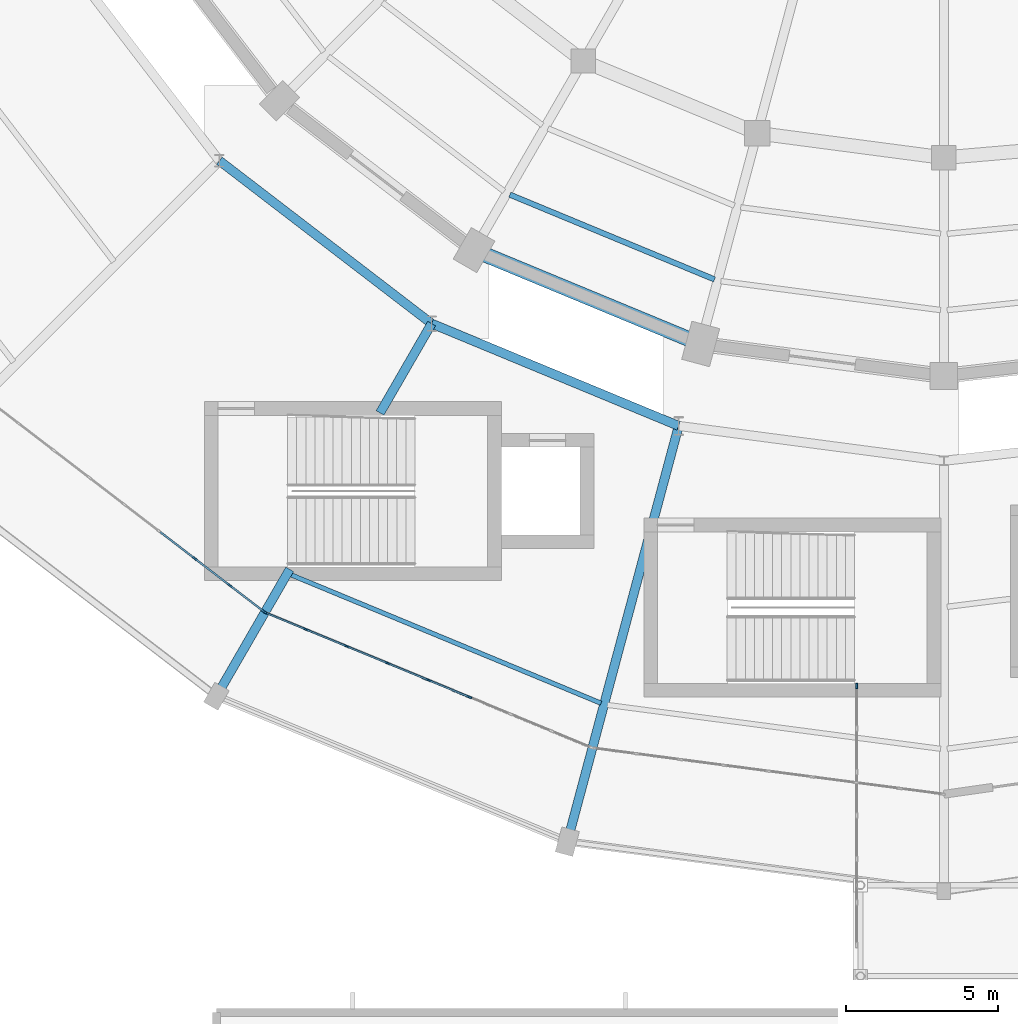
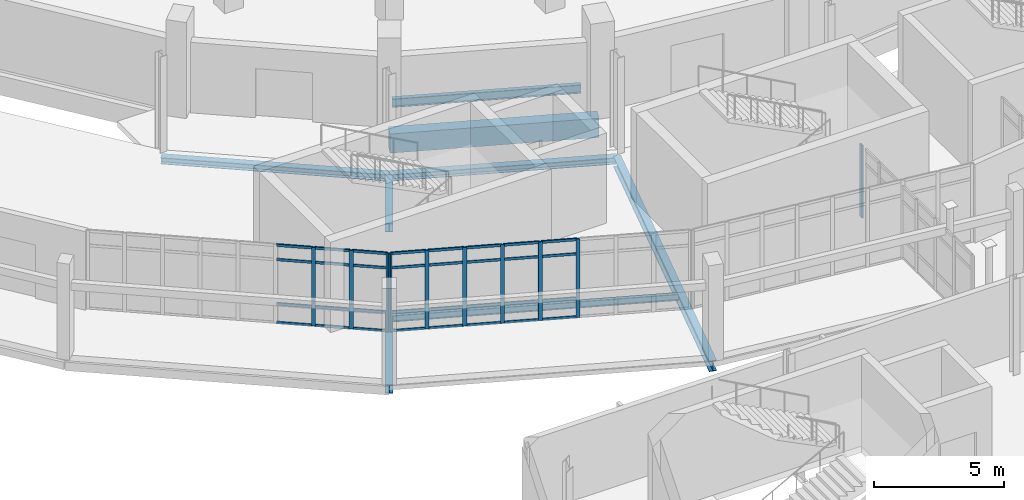
# One storey, part 41 of 122: 42 members, 8 beams, 3 elements without a shape of their own.
"""IFC4 building model written with IfcOpenShell, lengths in metres."""

from ifc_helpers import new_model, si_unit, direction, frame, origin, origin_2d, place, context, subcontext, project, spatial, rectangle, i_section, extrude, material, layer, layer_set, material_profile, profile_set, type_object, element, aggregate, save


model = new_model("IFC4")

# Units and contexts
model_context = context("Model", 3, precision=1e-05, world=origin(), true_north=direction((0.0, 1.0)))
body_context = subcontext(model_context, "Body", "Model", "MODEL_VIEW")
ifc_project = project(units=[si_unit("LENGTHUNIT", "METRE"), si_unit("AREAUNIT", "SQUARE_METRE"), si_unit("VOLUMEUNIT", "CUBIC_METRE"), si_unit("PLANEANGLEUNIT", "RADIAN"), si_unit("MASSUNIT", "GRAM", prefix="KILO")], contexts=[model_context])

# Site, building, storey
site_placement = place(None, origin())
site = spatial("IfcSite", under=ifc_project, at=site_placement, CompositionType="ELEMENT")
building_placement = place(site_placement, origin())
building = spatial("IfcBuilding", under=site, at=building_placement, Name="Sohan Crest Arena", CompositionType="ELEMENT")
storey_placement = place(building_placement, origin())
storey = spatial("IfcBuildingStorey", under=building, at=storey_placement, Name="L00", CompositionType="ELEMENT", Elevation=0.0)

# Curtain wall, members
ifc_material_1 = material(Name="Thermally broken anodised aluminium", Category="aluminium")
ifc_layer_1 = layer(ifc_material_1, 0.179931640625, Name="Thermally broken anodised aluminium")
ifc_layer_set_1 = layer_set([ifc_layer_1], Name="Thermally broken anodised aluminium")
curtain_wall_type_1 = type_object("IfcCurtainWallType", Name="ARC-CW01", PredefinedType="NOTDEFINED", material=ifc_layer_set_1)
curtain_wall_1_placement = place(storey_placement, origin())
curtain_wall_1 = element("IfcCurtainWall", 1, at=curtain_wall_1_placement, inside=storey, type_object=curtain_wall_type_1, Name="Unitised curtain wall CW-005", PredefinedType="NOTDEFINED")
ifc_material_profile_1 = material_profile(ifc_material_1, rectangle(XDim=0.06005859375, YDim=0.159912109375, at=origin_2d()), Name="ALU-MULL 60x160")
ifc_profile_set_1 = profile_set([ifc_material_profile_1], Name="Thermally broken anodised aluminium")
member_type_1 = type_object("IfcMemberType", Name="ARC-CW-ML01", PredefinedType="MULLION", material=ifc_profile_set_1)
member_1_placement = place(storey_placement, frame((73.280517578125, 40.98193359375, 0.0), z_axis=(0.0, 0.0, 1.0), x_axis=(0.608801264741, 0.79332277167, 0.0)))
member_1 = element("IfcMember", 2, at=member_1_placement, type_object=member_type_1, Name="CW-005 mullion 7", PredefinedType="MULLION", context=body_context, shape_type="SweptSolid", body=[
    extrude(rectangle(XDim=0.06005859375, YDim=0.159912109375, at=origin_2d()), origin(), (0.0, 0.0, 1.0), 3.679931640625),
])
member_2_placement = place(storey_placement, frame((74.440185546875, 40.092041015625, 0.0), z_axis=(0.0, 0.0, 1.0), x_axis=(0.608801264741, 0.79332277167, 0.0)))
member_2 = element("IfcMember", 3, at=member_2_placement, type_object=member_type_1, Name="CW-005 mullion 8", PredefinedType="MULLION", context=body_context, shape_type="SweptSolid", body=[
    extrude(rectangle(XDim=0.06005859375, YDim=0.159912109375, at=origin_2d()), origin(), (0.0, 0.0, 1.0), 3.679931640625),
])
member_3_placement = place(storey_placement, frame((75.576171875, 39.22021484375, 0.0), z_axis=(0.0, 0.0, 1.0), x_axis=(0.608801264741, 0.79332277167, 0.0)))
member_3 = element("IfcMember", 4, at=member_3_placement, type_object=member_type_1, Name="CW-005 mullion 9", PredefinedType="MULLION", context=body_context, shape_type="SweptSolid", body=[
    extrude(rectangle(XDim=0.06005859375, YDim=0.159912109375, at=origin_2d()), origin(), (0.0, 0.0, 1.0), 3.679931640625),
])

curtain_wall_2_placement = place(storey_placement, origin())
curtain_wall_2 = element("IfcCurtainWall", 5, at=curtain_wall_2_placement, inside=storey, type_object=curtain_wall_type_1, Name="Unitised curtain wall CW-006", PredefinedType="NOTDEFINED")
member_4_placement = place(storey_placement, frame((75.627685546875, 39.1904296875, 0.0), z_axis=(0.0, 0.0, 1.0), x_axis=(0.38264128051, 0.923896991255, 0.0)))
member_4 = element("IfcMember", 6, at=member_4_placement, type_object=member_type_1, Name="CW-006 mullion 1", PredefinedType="MULLION", context=body_context, shape_type="SweptSolid", body=[
    extrude(rectangle(XDim=0.06005859375, YDim=0.159912109375, at=origin_2d()), origin(), (0.0, 0.0, 1.0), 3.679931640625),
])
member_5_placement = place(storey_placement, frame((76.95068359375, 38.642578125, 0.0), z_axis=(0.0, 0.0, 1.0), x_axis=(0.38264128051, 0.923896991255, 0.0)))
member_5 = element("IfcMember", 7, at=member_5_placement, type_object=member_type_1, Name="CW-006 mullion 2", PredefinedType="MULLION", context=body_context, shape_type="SweptSolid", body=[
    extrude(rectangle(XDim=0.06005859375, YDim=0.159912109375, at=origin_2d()), origin(), (0.0, 0.0, 1.0), 3.679931640625),
])
member_6_placement = place(storey_placement, frame((78.30126953125, 38.083251953125, 0.0), z_axis=(0.0, 0.0, 1.0), x_axis=(0.38264128051, 0.923896991255, 0.0)))
member_6 = element("IfcMember", 8, at=member_6_placement, type_object=member_type_1, Name="CW-006 mullion 3", PredefinedType="MULLION", context=body_context, shape_type="SweptSolid", body=[
    extrude(rectangle(XDim=0.06005859375, YDim=0.159912109375, at=origin_2d()), origin(), (0.0, 0.0, 1.0), 3.679931640625),
])
member_7_placement = place(storey_placement, frame((79.65185546875, 37.52392578125, 0.0), z_axis=(0.0, 0.0, 1.0), x_axis=(0.38264128051, 0.923896991255, 0.0)))
member_7 = element("IfcMember", 9, at=member_7_placement, type_object=member_type_1, Name="CW-006 mullion 4", PredefinedType="MULLION", context=body_context, shape_type="SweptSolid", body=[
    extrude(rectangle(XDim=0.06005859375, YDim=0.159912109375, at=origin_2d()), origin(), (0.0, 0.0, 1.0), 3.679931640625),
])
member_8_placement = place(storey_placement, frame((81.00244140625, 36.964599609375, 0.0), z_axis=(0.0, 0.0, 1.0), x_axis=(0.38264128051, 0.923896991255, 0.0)))
member_8 = element("IfcMember", 10, at=member_8_placement, type_object=member_type_1, Name="CW-006 mullion 5", PredefinedType="MULLION", context=body_context, shape_type="SweptSolid", body=[
    extrude(rectangle(XDim=0.06005859375, YDim=0.159912109375, at=origin_2d()), origin(), (0.0, 0.0, 1.0), 3.679931640625),
])
member_9_placement = place(storey_placement, frame((82.35302734375, 36.405029296875, 0.0), z_axis=(0.0, 0.0, 1.0), x_axis=(0.38264128051, 0.923896991255, 0.0)))
member_9 = element("IfcMember", 11, at=member_9_placement, type_object=member_type_1, Name="CW-006 mullion 6", PredefinedType="MULLION", context=body_context, shape_type="SweptSolid", body=[
    extrude(rectangle(XDim=0.06005859375, YDim=0.159912109375, at=origin_2d()), origin(), (0.0, 0.0, 1.0), 3.679931640625),
])

# Curtain wall, member
ifc_layer_2 = layer(ifc_material_1, 0.18994140625, Name="Thermally broken anodised aluminium")
ifc_layer_set_2 = layer_set([ifc_layer_2], Name="Thermally broken anodised aluminium")
curtain_wall_type_2 = type_object("IfcCurtainWallType", Name="ARC-CW05", PredefinedType="NOTDEFINED", material=ifc_layer_set_2)
curtain_wall_3_placement = place(storey_placement, origin())
curtain_wall_3 = element("IfcCurtainWall", 12, at=curtain_wall_3_placement, inside=storey, type_object=curtain_wall_type_2, Name="Unitised curtain wall CW-247", PredefinedType="NOTDEFINED")
ifc_material_profile_2 = material_profile(ifc_material_1, rectangle(XDim=0.06494140625, YDim=0.179931640625, at=origin_2d()), Name="ALU-MULL 65x180")
ifc_profile_set_2 = profile_set([ifc_material_profile_2], Name="Thermally broken anodised aluminium")
member_type_2 = type_object("IfcMemberType", Name="ARC-CW-ML02", PredefinedType="MULLION", material=ifc_profile_set_2)
member_10_placement = place(storey_placement, frame((95.1201171875, 36.767578125, 0.0), z_axis=(0.0, 0.0, 1.0), x_axis=(-1.0, 0.0, 0.0)))
member_10 = element("IfcMember", 13, at=member_10_placement, type_object=member_type_2, Name="CW-247 mullion 7", PredefinedType="MULLION", context=body_context, shape_type="SweptSolid", body=[
    extrude(rectangle(XDim=0.06494140625, YDim=0.179931640625, at=origin_2d()), origin(), (0.0, 0.0, 1.0), 3.39990234375),
])
aggregate(curtain_wall_3, [member_10])

# Member
ifc_material_profile_3 = material_profile(ifc_material_1, rectangle(XDim=0.06005859375, YDim=0.1201171875, at=origin_2d()), Name="ALU-TRAN 60x120")
ifc_profile_set_3 = profile_set([ifc_material_profile_3], Name="Thermally broken anodised aluminium")
member_type_3 = type_object("IfcMemberType", Name="ARC-CW-TR01", PredefinedType="USERDEFINED", material=ifc_profile_set_3)
member_11_placement = place(storey_placement, frame((72.14453125, 41.853759765625, 0.030029296875), z_axis=(0.793283895434, -0.608851920623, 0.0), x_axis=(0.608851920623, 0.793283895434, 0.0)))
member_11 = element("IfcMember", 14, at=member_11_placement, type_object=member_type_3, Name="CW-005 transom 6.1", ObjectType="TRANSOM", PredefinedType="USERDEFINED", context=body_context, shape_type="SweptSolid", body=[
    extrude(rectangle(XDim=0.06005859375, YDim=0.1201171875, at=origin_2d()), origin(), (0.0, 0.0, 1.0), 1.40185546875),
])

member_12_placement = place(storey_placement, frame((72.14453125, 41.853759765625, 0.89990234375), z_axis=(0.793283895434, -0.608851920623, 0.0), x_axis=(0.608851920623, 0.793283895434, 0.0)))
member_12 = element("IfcMember", 15, at=member_12_placement, type_object=member_type_3, Name="CW-005 transom 6.2", ObjectType="TRANSOM", PredefinedType="USERDEFINED", context=body_context, shape_type="SweptSolid", body=[
    extrude(rectangle(XDim=0.06005859375, YDim=0.1201171875, at=origin_2d()), origin(), (0.0, 0.0, 1.0), 1.40185546875),
])

member_13_placement = place(storey_placement, frame((72.14453125, 41.853759765625, 2.97998046875), z_axis=(0.793283895434, -0.608851920623, 0.0), x_axis=(0.608851920623, 0.793283895434, 0.0)))
member_13 = element("IfcMember", 16, at=member_13_placement, type_object=member_type_3, Name="CW-005 transom 6.3", ObjectType="TRANSOM", PredefinedType="USERDEFINED", context=body_context, shape_type="SweptSolid", body=[
    extrude(rectangle(XDim=0.06005859375, YDim=0.1201171875, at=origin_2d()), origin(), (0.0, 0.0, 1.0), 1.40185546875),
])

member_14_placement = place(storey_placement, frame((72.14453125, 41.853759765625, 3.64990234375), z_axis=(0.793283895434, -0.608851920623, 0.0), x_axis=(0.608851920623, 0.793283895434, 0.0)))
member_14 = element("IfcMember", 17, at=member_14_placement, type_object=member_type_3, Name="CW-005 transom 6.4", ObjectType="TRANSOM", PredefinedType="USERDEFINED", context=body_context, shape_type="SweptSolid", body=[
    extrude(rectangle(XDim=0.06005859375, YDim=0.1201171875, at=origin_2d()), origin(), (0.0, 0.0, 1.0), 1.40185546875),
])

member_15_placement = place(storey_placement, frame((73.30419921875, 40.963623046875, 0.030029296875), z_axis=(0.793432543398, -0.608658195605, 0.0), x_axis=(0.608658195605, 0.793432543398, 0.0)))
member_15 = element("IfcMember", 18, at=member_15_placement, type_object=member_type_3, Name="CW-005 transom 7.1", ObjectType="TRANSOM", PredefinedType="USERDEFINED", context=body_context, shape_type="SweptSolid", body=[
    extrude(rectangle(XDim=0.06005859375, YDim=0.1201171875, at=origin_2d()), origin(), (0.0, 0.0, 1.0), 1.40185546875),
])

member_16_placement = place(storey_placement, frame((73.30419921875, 40.963623046875, 0.89990234375), z_axis=(0.793432543398, -0.608658195605, 0.0), x_axis=(0.608658195605, 0.793432543398, 0.0)))
member_16 = element("IfcMember", 19, at=member_16_placement, type_object=member_type_3, Name="CW-005 transom 7.2", ObjectType="TRANSOM", PredefinedType="USERDEFINED", context=body_context, shape_type="SweptSolid", body=[
    extrude(rectangle(XDim=0.06005859375, YDim=0.1201171875, at=origin_2d()), origin(), (0.0, 0.0, 1.0), 1.40185546875),
])

member_17_placement = place(storey_placement, frame((73.30419921875, 40.963623046875, 2.97998046875), z_axis=(0.793432543398, -0.608658195605, 0.0), x_axis=(0.608658195605, 0.793432543398, 0.0)))
member_17 = element("IfcMember", 20, at=member_17_placement, type_object=member_type_3, Name="CW-005 transom 7.3", ObjectType="TRANSOM", PredefinedType="USERDEFINED", context=body_context, shape_type="SweptSolid", body=[
    extrude(rectangle(XDim=0.06005859375, YDim=0.1201171875, at=origin_2d()), origin(), (0.0, 0.0, 1.0), 1.40185546875),
])

member_18_placement = place(storey_placement, frame((73.30419921875, 40.963623046875, 3.64990234375), z_axis=(0.793432543398, -0.608658195605, 0.0), x_axis=(0.608658195605, 0.793432543398, 0.0)))
member_18 = element("IfcMember", 21, at=member_18_placement, type_object=member_type_3, Name="CW-005 transom 7.4", ObjectType="TRANSOM", PredefinedType="USERDEFINED", context=body_context, shape_type="SweptSolid", body=[
    extrude(rectangle(XDim=0.06005859375, YDim=0.1201171875, at=origin_2d()), origin(), (0.0, 0.0, 1.0), 1.40185546875),
])

member_19_placement = place(storey_placement, frame((74.464111328125, 40.07373046875, 0.030029296875), z_axis=(0.793331312745, -0.608790134791, 0.0), x_axis=(0.608790134791, 0.793331312745, 0.0)))
member_19 = element("IfcMember", 22, at=member_19_placement, type_object=member_type_3, Name="CW-005 transom 8.1", ObjectType="TRANSOM", PredefinedType="USERDEFINED", context=body_context, shape_type="SweptSolid", body=[
    extrude(rectangle(XDim=0.06005859375, YDim=0.1201171875, at=origin_2d()), origin(), (0.0, 0.0, 1.0), 1.371826171875),
])

member_20_placement = place(storey_placement, frame((74.464111328125, 40.07373046875, 0.89990234375), z_axis=(0.793331312745, -0.608790134791, 0.0), x_axis=(0.608790134791, 0.793331312745, 0.0)))
member_20 = element("IfcMember", 23, at=member_20_placement, type_object=member_type_3, Name="CW-005 transom 8.2", ObjectType="TRANSOM", PredefinedType="USERDEFINED", context=body_context, shape_type="SweptSolid", body=[
    extrude(rectangle(XDim=0.06005859375, YDim=0.1201171875, at=origin_2d()), origin(), (0.0, 0.0, 1.0), 1.371826171875),
])

member_21_placement = place(storey_placement, frame((74.464111328125, 40.07373046875, 2.97998046875), z_axis=(0.793331312745, -0.608790134791, 0.0), x_axis=(0.608790134791, 0.793331312745, 0.0)))
member_21 = element("IfcMember", 24, at=member_21_placement, type_object=member_type_3, Name="CW-005 transom 8.3", ObjectType="TRANSOM", PredefinedType="USERDEFINED", context=body_context, shape_type="SweptSolid", body=[
    extrude(rectangle(XDim=0.06005859375, YDim=0.1201171875, at=origin_2d()), origin(), (0.0, 0.0, 1.0), 1.371826171875),
])

member_22_placement = place(storey_placement, frame((74.464111328125, 40.07373046875, 3.64990234375), z_axis=(0.793331312745, -0.608790134791, 0.0), x_axis=(0.608790134791, 0.793331312745, 0.0)))
member_22 = element("IfcMember", 25, at=member_22_placement, type_object=member_type_3, Name="CW-005 transom 8.4", ObjectType="TRANSOM", PredefinedType="USERDEFINED", context=body_context, shape_type="SweptSolid", body=[
    extrude(rectangle(XDim=0.06005859375, YDim=0.1201171875, at=origin_2d()), origin(), (0.0, 0.0, 1.0), 1.371826171875),
])

aggregate(curtain_wall_1, [member_1, member_2, member_3, member_11, member_12, member_13, member_14, member_15, member_16, member_17, member_18, member_19, member_20, member_21, member_22])

member_23_placement = place(storey_placement, frame((75.655517578125, 39.178955078125, 0.030029296875), z_axis=(0.923891022383, -0.382655692183, 0.0), x_axis=(0.382655692183, 0.923891022383, 0.0)))
member_23 = element("IfcMember", 26, at=member_23_placement, type_object=member_type_3, Name="CW-006 transom 1.1", ObjectType="TRANSOM", PredefinedType="USERDEFINED", context=body_context, shape_type="SweptSolid", body=[
    extrude(rectangle(XDim=0.06005859375, YDim=0.1201171875, at=origin_2d()), origin(), (0.0, 0.0, 1.0), 1.371826171875),
])

member_24_placement = place(storey_placement, frame((75.655517578125, 39.178955078125, 0.89990234375), z_axis=(0.923891022383, -0.382655692183, 0.0), x_axis=(0.382655692183, 0.923891022383, 0.0)))
member_24 = element("IfcMember", 27, at=member_24_placement, type_object=member_type_3, Name="CW-006 transom 1.2", ObjectType="TRANSOM", PredefinedType="USERDEFINED", context=body_context, shape_type="SweptSolid", body=[
    extrude(rectangle(XDim=0.06005859375, YDim=0.1201171875, at=origin_2d()), origin(), (0.0, 0.0, 1.0), 1.371826171875),
])

member_25_placement = place(storey_placement, frame((75.655517578125, 39.178955078125, 2.97998046875), z_axis=(0.923891022383, -0.382655692183, 0.0), x_axis=(0.382655692183, 0.923891022383, 0.0)))
member_25 = element("IfcMember", 28, at=member_25_placement, type_object=member_type_3, Name="CW-006 transom 1.3", ObjectType="TRANSOM", PredefinedType="USERDEFINED", context=body_context, shape_type="SweptSolid", body=[
    extrude(rectangle(XDim=0.06005859375, YDim=0.1201171875, at=origin_2d()), origin(), (0.0, 0.0, 1.0), 1.371826171875),
])

member_26_placement = place(storey_placement, frame((75.655517578125, 39.178955078125, 3.64990234375), z_axis=(0.923891022383, -0.382655692183, 0.0), x_axis=(0.382655692183, 0.923891022383, 0.0)))
member_26 = element("IfcMember", 29, at=member_26_placement, type_object=member_type_3, Name="CW-006 transom 1.4", ObjectType="TRANSOM", PredefinedType="USERDEFINED", context=body_context, shape_type="SweptSolid", body=[
    extrude(rectangle(XDim=0.06005859375, YDim=0.1201171875, at=origin_2d()), origin(), (0.0, 0.0, 1.0), 1.371826171875),
])

member_27_placement = place(storey_placement, frame((76.978271484375, 38.631103515625, 0.030029296875), z_axis=(0.923904341671, -0.382623532262, 0.0), x_axis=(0.382623532262, 0.923904341671, 0.0)))
member_27 = element("IfcMember", 30, at=member_27_placement, type_object=member_type_3, Name="CW-006 transom 2.1", ObjectType="TRANSOM", PredefinedType="USERDEFINED", context=body_context, shape_type="SweptSolid", body=[
    extrude(rectangle(XDim=0.06005859375, YDim=0.1201171875, at=origin_2d()), origin(), (0.0, 0.0, 1.0), 1.40185546875),
])

member_28_placement = place(storey_placement, frame((76.978271484375, 38.631103515625, 0.89990234375), z_axis=(0.923904341671, -0.382623532262, 0.0), x_axis=(0.382623532262, 0.923904341671, 0.0)))
member_28 = element("IfcMember", 31, at=member_28_placement, type_object=member_type_3, Name="CW-006 transom 2.2", ObjectType="TRANSOM", PredefinedType="USERDEFINED", context=body_context, shape_type="SweptSolid", body=[
    extrude(rectangle(XDim=0.06005859375, YDim=0.1201171875, at=origin_2d()), origin(), (0.0, 0.0, 1.0), 1.40185546875),
])

member_29_placement = place(storey_placement, frame((76.978271484375, 38.631103515625, 2.97998046875), z_axis=(0.923904341671, -0.382623532262, 0.0), x_axis=(0.382623532262, 0.923904341671, 0.0)))
member_29 = element("IfcMember", 32, at=member_29_placement, type_object=member_type_3, Name="CW-006 transom 2.3", ObjectType="TRANSOM", PredefinedType="USERDEFINED", context=body_context, shape_type="SweptSolid", body=[
    extrude(rectangle(XDim=0.06005859375, YDim=0.1201171875, at=origin_2d()), origin(), (0.0, 0.0, 1.0), 1.40185546875),
])

member_30_placement = place(storey_placement, frame((76.978271484375, 38.631103515625, 3.64990234375), z_axis=(0.923904341671, -0.382623532262, 0.0), x_axis=(0.382623532262, 0.923904341671, 0.0)))
member_30 = element("IfcMember", 33, at=member_30_placement, type_object=member_type_3, Name="CW-006 transom 2.4", ObjectType="TRANSOM", PredefinedType="USERDEFINED", context=body_context, shape_type="SweptSolid", body=[
    extrude(rectangle(XDim=0.06005859375, YDim=0.1201171875, at=origin_2d()), origin(), (0.0, 0.0, 1.0), 1.40185546875),
])

member_31_placement = place(storey_placement, frame((78.328857421875, 38.07177734375, 0.030029296875), z_axis=(0.923929832277, -0.382561975408, 0.0), x_axis=(0.382561975408, 0.923929832277, 0.0)))
member_31 = element("IfcMember", 34, at=member_31_placement, type_object=member_type_3, Name="CW-006 transom 3.1", ObjectType="TRANSOM", PredefinedType="USERDEFINED", context=body_context, shape_type="SweptSolid", body=[
    extrude(rectangle(XDim=0.06005859375, YDim=0.1201171875, at=origin_2d()), origin(), (0.0, 0.0, 1.0), 1.402099609375),
])

member_32_placement = place(storey_placement, frame((78.328857421875, 38.07177734375, 0.89990234375), z_axis=(0.923929832277, -0.382561975408, 0.0), x_axis=(0.382561975408, 0.923929832277, 0.0)))
member_32 = element("IfcMember", 35, at=member_32_placement, type_object=member_type_3, Name="CW-006 transom 3.2", ObjectType="TRANSOM", PredefinedType="USERDEFINED", context=body_context, shape_type="SweptSolid", body=[
    extrude(rectangle(XDim=0.06005859375, YDim=0.1201171875, at=origin_2d()), origin(), (0.0, 0.0, 1.0), 1.402099609375),
])

member_33_placement = place(storey_placement, frame((78.328857421875, 38.07177734375, 2.97998046875), z_axis=(0.923929832277, -0.382561975408, 0.0), x_axis=(0.382561975408, 0.923929832277, 0.0)))
member_33 = element("IfcMember", 36, at=member_33_placement, type_object=member_type_3, Name="CW-006 transom 3.3", ObjectType="TRANSOM", PredefinedType="USERDEFINED", context=body_context, shape_type="SweptSolid", body=[
    extrude(rectangle(XDim=0.06005859375, YDim=0.1201171875, at=origin_2d()), origin(), (0.0, 0.0, 1.0), 1.402099609375),
])

member_34_placement = place(storey_placement, frame((78.328857421875, 38.07177734375, 3.64990234375), z_axis=(0.923929832277, -0.382561975408, 0.0), x_axis=(0.382561975408, 0.923929832277, 0.0)))
member_34 = element("IfcMember", 37, at=member_34_placement, type_object=member_type_3, Name="CW-006 transom 3.4", ObjectType="TRANSOM", PredefinedType="USERDEFINED", context=body_context, shape_type="SweptSolid", body=[
    extrude(rectangle(XDim=0.06005859375, YDim=0.1201171875, at=origin_2d()), origin(), (0.0, 0.0, 1.0), 1.402099609375),
])

member_35_placement = place(storey_placement, frame((79.6796875, 37.512451171875, 0.030029296875), z_axis=(0.923904341671, -0.382623532262, 0.0), x_axis=(0.382623532262, 0.923904341671, 0.0)))
member_35 = element("IfcMember", 38, at=member_35_placement, type_object=member_type_3, Name="CW-006 transom 4.1", ObjectType="TRANSOM", PredefinedType="USERDEFINED", context=body_context, shape_type="SweptSolid", body=[
    extrude(rectangle(XDim=0.06005859375, YDim=0.1201171875, at=origin_2d()), origin(), (0.0, 0.0, 1.0), 1.40185546875),
])

member_36_placement = place(storey_placement, frame((79.6796875, 37.512451171875, 0.89990234375), z_axis=(0.923904341671, -0.382623532262, 0.0), x_axis=(0.382623532262, 0.923904341671, 0.0)))
member_36 = element("IfcMember", 39, at=member_36_placement, type_object=member_type_3, Name="CW-006 transom 4.2", ObjectType="TRANSOM", PredefinedType="USERDEFINED", context=body_context, shape_type="SweptSolid", body=[
    extrude(rectangle(XDim=0.06005859375, YDim=0.1201171875, at=origin_2d()), origin(), (0.0, 0.0, 1.0), 1.40185546875),
])

member_37_placement = place(storey_placement, frame((79.6796875, 37.512451171875, 2.97998046875), z_axis=(0.923904341671, -0.382623532262, 0.0), x_axis=(0.382623532262, 0.923904341671, 0.0)))
member_37 = element("IfcMember", 40, at=member_37_placement, type_object=member_type_3, Name="CW-006 transom 4.3", ObjectType="TRANSOM", PredefinedType="USERDEFINED", context=body_context, shape_type="SweptSolid", body=[
    extrude(rectangle(XDim=0.06005859375, YDim=0.1201171875, at=origin_2d()), origin(), (0.0, 0.0, 1.0), 1.40185546875),
])

member_38_placement = place(storey_placement, frame((79.6796875, 37.512451171875, 3.64990234375), z_axis=(0.923904341671, -0.382623532262, 0.0), x_axis=(0.382623532262, 0.923904341671, 0.0)))
member_38 = element("IfcMember", 41, at=member_38_placement, type_object=member_type_3, Name="CW-006 transom 4.4", ObjectType="TRANSOM", PredefinedType="USERDEFINED", context=body_context, shape_type="SweptSolid", body=[
    extrude(rectangle(XDim=0.06005859375, YDim=0.1201171875, at=origin_2d()), origin(), (0.0, 0.0, 1.0), 1.40185546875),
])

member_39_placement = place(storey_placement, frame((81.0302734375, 36.953125, 0.030029296875), z_axis=(0.923842767906, -0.382772177918, 0.0), x_axis=(0.382772177918, 0.923842767906, 0.0)))
member_39 = element("IfcMember", 42, at=member_39_placement, type_object=member_type_3, Name="CW-006 transom 5.1", ObjectType="TRANSOM", PredefinedType="USERDEFINED", context=body_context, shape_type="SweptSolid", body=[
    extrude(rectangle(XDim=0.06005859375, YDim=0.1201171875, at=origin_2d()), origin(), (0.0, 0.0, 1.0), 1.40185546875),
])

member_40_placement = place(storey_placement, frame((81.0302734375, 36.953125, 0.89990234375), z_axis=(0.923842767906, -0.382772177918, 0.0), x_axis=(0.382772177918, 0.923842767906, 0.0)))
member_40 = element("IfcMember", 43, at=member_40_placement, type_object=member_type_3, Name="CW-006 transom 5.2", ObjectType="TRANSOM", PredefinedType="USERDEFINED", context=body_context, shape_type="SweptSolid", body=[
    extrude(rectangle(XDim=0.06005859375, YDim=0.1201171875, at=origin_2d()), origin(), (0.0, 0.0, 1.0), 1.40185546875),
])

member_41_placement = place(storey_placement, frame((81.0302734375, 36.953125, 2.97998046875), z_axis=(0.923842767906, -0.382772177918, 0.0), x_axis=(0.382772177918, 0.923842767906, 0.0)))
member_41 = element("IfcMember", 44, at=member_41_placement, type_object=member_type_3, Name="CW-006 transom 5.3", ObjectType="TRANSOM", PredefinedType="USERDEFINED", context=body_context, shape_type="SweptSolid", body=[
    extrude(rectangle(XDim=0.06005859375, YDim=0.1201171875, at=origin_2d()), origin(), (0.0, 0.0, 1.0), 1.40185546875),
])

member_42_placement = place(storey_placement, frame((81.0302734375, 36.953125, 3.64990234375), z_axis=(0.923842767906, -0.382772177918, 0.0), x_axis=(0.382772177918, 0.923842767906, 0.0)))
member_42 = element("IfcMember", 45, at=member_42_placement, type_object=member_type_3, Name="CW-006 transom 5.4", ObjectType="TRANSOM", PredefinedType="USERDEFINED", context=body_context, shape_type="SweptSolid", body=[
    extrude(rectangle(XDim=0.06005859375, YDim=0.1201171875, at=origin_2d()), origin(), (0.0, 0.0, 1.0), 1.40185546875),
])

aggregate(curtain_wall_2, [member_4, member_5, member_6, member_7, member_8, member_9, member_23, member_24, member_25, member_26, member_27, member_28, member_29, member_30, member_31, member_32, member_33, member_34, member_35, member_36, member_37, member_38, member_39, member_40, member_41, member_42])

# Beams
ifc_material_2 = material(Name="Steel S355", Category="steel")
ifc_material_profile_4 = material_profile(ifc_material_2, i_section(OverallWidth=0.14990234375, OverallDepth=0.300048828125, WebThickness=0.007080078125, FlangeThickness=0.0107421875, at=origin_2d()), Name="IPE 300")
ifc_profile_set_4 = profile_set([ifc_material_profile_4], Name="Steel S355")
beam_type_1 = type_object("IfcBeamType", Name="STR-BM-B01", PredefinedType="JOIST", material=ifc_profile_set_4)
beam_1_placement = place(storey_placement, frame((76.445068359375, 40.447021484375, -0.425048828125), z_axis=(0.923874316241, -0.382696025312, 0.0), x_axis=(0.382696025312, 0.923874316241, 0.0)))
element("IfcBeam", 46, at=beam_1_placement, inside=storey, type_object=beam_type_1, Name="Structural beam J-L00-0955", PredefinedType="JOIST", context=body_context, shape_type="SweptSolid", body=[
    extrude(i_section(OverallWidth=0.14990234375, OverallDepth=0.300048828125, WebThickness=0.007080078125, FlangeThickness=0.0107421875, at=origin_2d()), origin(), (0.0, 0.0, 1.0), 11.0869140625),
])
ifc_material_profile_5 = material_profile(ifc_material_2, i_section(OverallWidth=0.179931640625, OverallDepth=0.39990234375, WebThickness=0.008544921875, FlangeThickness=0.013427734375, at=origin_2d()), Name="IPE 400")
ifc_profile_set_5 = profile_set([ifc_material_profile_5], Name="Steel S355")
beam_type_2 = type_object("IfcBeamType", Name="STR-BM-B03", PredefinedType="JOIST", material=ifc_profile_set_5)
beam_2_placement = place(storey_placement, frame((83.681884765625, 52.98193359375, -0.449951171875), z_axis=(0.923831158032, -0.382800197818, 0.0), x_axis=(0.382800197818, 0.923831158032, 0.0)))
element("IfcBeam", 47, at=beam_2_placement, inside=storey, type_object=beam_type_2, Name="Structural beam J-L00-0283", PredefinedType="JOIST", context=body_context, shape_type="SweptSolid", body=[
    extrude(i_section(OverallWidth=0.179931640625, OverallDepth=0.39990234375, WebThickness=0.008544921875, FlangeThickness=0.013427734375, at=origin_2d()), origin(), (0.0, 0.0, 1.0), 7.308837890625),
])
ifc_material_profile_6 = material_profile(ifc_material_2, i_section(OverallWidth=0.300048828125, OverallDepth=0.300048828125, WebThickness=0.010986328125, FlangeThickness=0.01904296875, at=origin_2d()), Name="HEB 300")
ifc_profile_set_6 = profile_set([ifc_material_profile_6], Name="Steel S355")
beam_type_3 = type_object("IfcBeamType", Name="STR-BM-B12", PredefinedType="BEAM", material=ifc_profile_set_6)
beam_3_placement = place(storey_placement, frame((74.10009765625, 54.10009765625, -0.425048828125), z_axis=(0.793310569192, -0.608817165336, 0.0), x_axis=(0.608817165336, 0.793310569192, 0.0)))
element("IfcBeam", 48, at=beam_3_placement, inside=storey, type_object=beam_type_3, Name="Structural beam G-L00-0947", PredefinedType="BEAM", context=body_context, shape_type="SweptSolid", body=[
    extrude(i_section(OverallWidth=0.300048828125, OverallDepth=0.300048828125, WebThickness=0.010986328125, FlangeThickness=0.01904296875, at=origin_2d()), origin(), (0.0, 0.0, 1.0), 8.82373046875),
])
beam_4_placement = place(storey_placement, frame((81.10009765625, 48.72802734375, -0.425048828125), z_axis=(0.923904876385, -0.38262224111, 0.0), x_axis=(0.38262224111, 0.923904876385, 0.0)))
element("IfcBeam", 49, at=beam_4_placement, inside=storey, type_object=beam_type_3, Name="Structural beam G-L00-0952", PredefinedType="BEAM", context=body_context, shape_type="SweptSolid", body=[
    extrude(i_section(OverallWidth=0.300048828125, OverallDepth=0.300048828125, WebThickness=0.010986328125, FlangeThickness=0.01904296875, at=origin_2d()), origin(), (0.0, 0.0, 1.0), 8.8232421875),
])
ifc_material_profile_7 = material_profile(ifc_material_2, i_section(OverallWidth=0.300048828125, OverallDepth=0.39990234375, WebThickness=0.013427734375, FlangeThickness=0.02392578125, at=origin_2d()), Name="HEB 400")
ifc_profile_set_7 = profile_set([ifc_material_profile_7], Name="Steel S355")
beam_type_4 = type_object("IfcBeamType", Name="STR-BM-B13", PredefinedType="BEAM", material=ifc_profile_set_7)
beam_5_placement = place(storey_placement, frame((81.10009765625, 48.72802734375, -0.47509765625), z_axis=(-0.500026652407, -0.866010015463, 0.0), x_axis=(0.866010015463, -0.500026652407, 0.0)))
element("IfcBeam", 50, at=beam_5_placement, inside=storey, type_object=beam_type_4, Name="Structural beam G-L00-0950", PredefinedType="BEAM", context=body_context, shape_type="SweptSolid", body=[
    extrude(i_section(OverallWidth=0.300048828125, OverallDepth=0.39990234375, WebThickness=0.013427734375, FlangeThickness=0.02392578125, at=origin_2d()), origin(), (0.0, 0.0, 1.0), 3.404052734375),
])
beam_6_placement = place(storey_placement, frame((76.4189453125, 40.6201171875, -0.47509765625), z_axis=(-0.500047190239, -0.865998156773, 0.0), x_axis=(0.865998156773, -0.500047190239, 0.0)))
element("IfcBeam", 51, at=beam_6_placement, inside=storey, type_object=beam_type_4, Name="Structural beam G-L00-0951", PredefinedType="BEAM", context=body_context, shape_type="SweptSolid", body=[
    extrude(i_section(OverallWidth=0.300048828125, OverallDepth=0.39990234375, WebThickness=0.013427734375, FlangeThickness=0.02392578125, at=origin_2d()), origin(), (0.0, 0.0, 1.0), 4.83740234375),
])
ifc_material_profile_8 = material_profile(ifc_material_2, i_section(OverallWidth=0.300048828125, OverallDepth=0.5, WebThickness=0.014404296875, FlangeThickness=0.028076171875, at=origin_2d()), Name="HEB 500")
ifc_profile_set_8 = profile_set([ifc_material_profile_8], Name="Steel S355")
beam_type_5 = type_object("IfcBeamType", Name="STR-BM-B14", PredefinedType="BEAM", material=ifc_profile_set_8)
beam_7_placement = place(storey_placement, frame((89.251953125, 45.35205078125, -0.52490234375), z_axis=(-0.258808560729, -0.965928635508, 0.0), x_axis=(0.965928635508, -0.258808560729, 0.0)))
element("IfcBeam", 52, at=beam_7_placement, inside=storey, type_object=beam_type_5, Name="Structural beam G-L00-0956", PredefinedType="BEAM", context=body_context, shape_type="SweptSolid", body=[
    extrude(i_section(OverallWidth=0.300048828125, OverallDepth=0.5, WebThickness=0.014404296875, FlangeThickness=0.028076171875, at=origin_2d()), origin(), (0.0, 0.0, 1.0), 14.199951171875),
])
ifc_material_3 = material(Name="Concrete C40/50", Category="concrete")
ifc_material_profile_9 = material_profile(ifc_material_3, rectangle(XDim=0.5, YDim=0.89990234375, at=origin_2d()), Name="RC-BM 500x900")
ifc_profile_set_9 = profile_set([ifc_material_profile_9], Name="Concrete C40/50")
beam_type_6 = type_object("IfcBeamType", Name="STR-BM-TB03", PredefinedType="BEAM", material=ifc_profile_set_9)
beam_8_placement = place(storey_placement, frame((82.5, 51.153076171875, -0.699951171875), z_axis=(0.923876381497, -0.382691039498, 0.0), x_axis=(0.382691039498, 0.923876381497, 0.0)))
element("IfcBeam", 53, at=beam_8_placement, inside=storey, type_object=beam_type_6, Name="Structural beam TB-L00-0280", PredefinedType="BEAM", context=body_context, shape_type="SweptSolid", body=[
    extrude(rectangle(XDim=0.5, YDim=0.89990234375, at=origin_2d()), origin(), (0.0, 0.0, 1.0), 8.093017578125),
])

save(model, "model.ifc")
